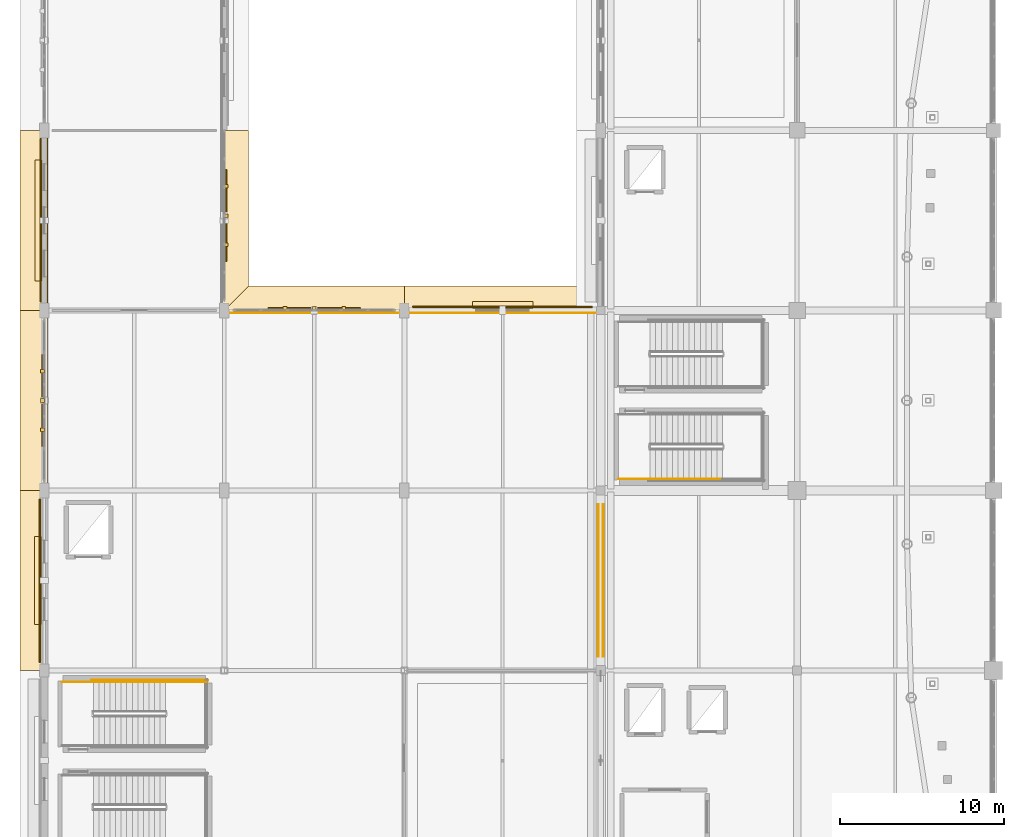
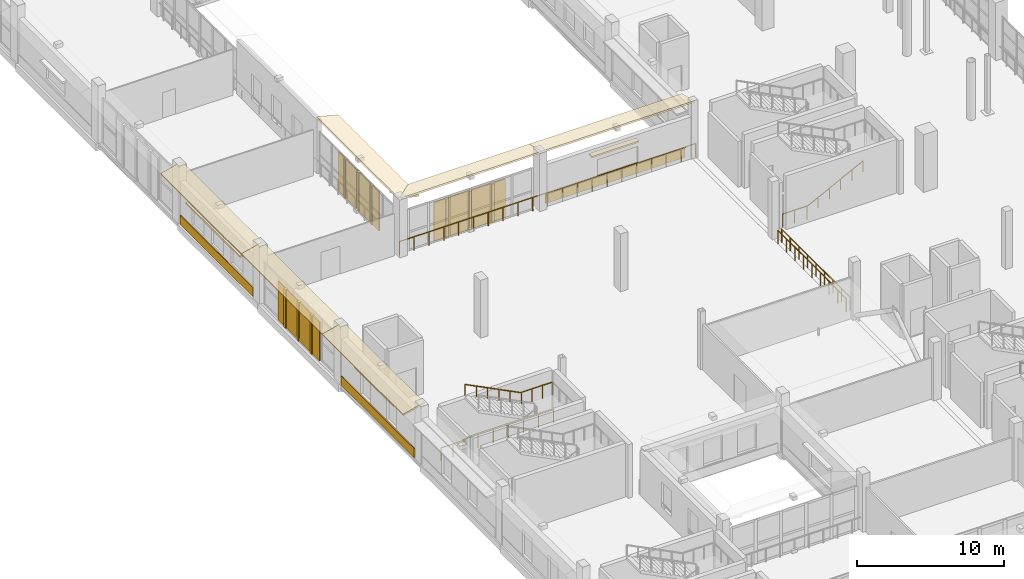
# One storey, part 121 of 143: 21 coverings, 9 railings, 3 shading devices.
"""IFC4 building model written with IfcOpenShell, lengths in metres."""

from ifc_helpers import new_model, si_unit, direction, frame, origin, origin_2d, place, context, subcontext, project, spatial, polyline, rectangle, circle, outline, extrude, material, layer, layer_set, type_object, element, save


model = new_model("IFC4")

# Units and contexts
model_context = context("Model", 3, precision=1e-05, world=origin(), true_north=direction((0.0, 1.0)))
body_context = subcontext(model_context, "Body", "Model", "MODEL_VIEW")
ifc_project = project(units=[si_unit("LENGTHUNIT", "METRE"), si_unit("AREAUNIT", "SQUARE_METRE"), si_unit("VOLUMEUNIT", "CUBIC_METRE"), si_unit("PLANEANGLEUNIT", "RADIAN"), si_unit("MASSUNIT", "GRAM", prefix="KILO")], contexts=[model_context])

# Site, building, storey
site_placement = place(None, origin())
site = spatial("IfcSite", under=ifc_project, at=site_placement, CompositionType="ELEMENT")
building_placement = place(site_placement, origin())
building = spatial("IfcBuilding", under=site, at=building_placement, Name="Luwafu Chhajja Arena", CompositionType="ELEMENT")
storey_placement = place(building_placement, frame((0.0, 0.0, 5.39990234375)))
storey = spatial("IfcBuildingStorey", under=building, at=storey_placement, Name="L01", CompositionType="ELEMENT", Elevation=5.39990234375)

# Railing
ifc_material_1 = material(Name="Stainless steel balustrade", Category="steel")
railing_type_1 = type_object("IfcRailingType", Name="Atrium Void Glazed Balustrade 1150", PredefinedType="BALUSTRADE", material=ifc_material_1)
railing_1_placement = place(storey_placement, frame((10.85009765625, 54.85009765625, 0.0)))
element("IfcRailing", 1, at=railing_1_placement, inside=storey, type_object=railing_type_1, Name="L01 Warm-Up Court Gallery Balustrade 0024", PredefinedType="BALUSTRADE", context=body_context, shape_type="SweptSolid", body=[
    extrude(circle(Radius=0.02392578125, at=origin_2d()), frame((0.0, 0.0, 1.1259765625), z_axis=(1.0, 0.0, 0.0), x_axis=(0.0, 1.0, 0.0)), (0.0, 0.0, 1.0), 23.2998046875),
    extrude(circle(Radius=0.02099609375, at=origin_2d()), origin(), (0.0, 0.0, 1.0), 1.101806640625),
    extrude(circle(Radius=0.02099609375, at=origin_2d()), frame((1.1650390625, 0.0, 0.0)), (0.0, 0.0, 1.0), 1.101806640625),
    extrude(circle(Radius=0.02099609375, at=origin_2d()), frame((2.330078125, 0.0, 0.0)), (0.0, 0.0, 1.0), 1.101806640625),
    extrude(circle(Radius=0.02099609375, at=origin_2d()), frame((3.494873046875, 0.0, 0.0)), (0.0, 0.0, 1.0), 1.101806640625),
    extrude(circle(Radius=0.02099609375, at=origin_2d()), frame((4.659912109375, 0.0, 0.0)), (0.0, 0.0, 1.0), 1.101806640625),
    extrude(circle(Radius=0.02099609375, at=origin_2d()), frame((5.824951171875, 0.0, 0.0)), (0.0, 0.0, 1.0), 1.101806640625),
    extrude(circle(Radius=0.02099609375, at=origin_2d()), frame((6.989990234375, 0.0, 0.0)), (0.0, 0.0, 1.0), 1.101806640625),
    extrude(circle(Radius=0.02099609375, at=origin_2d()), frame((8.155029296875, 0.0, 0.0)), (0.0, 0.0, 1.0), 1.101806640625),
    extrude(circle(Radius=0.02099609375, at=origin_2d()), frame((9.31982421875, 0.0, 0.0)), (0.0, 0.0, 1.0), 1.101806640625),
    extrude(circle(Radius=0.02099609375, at=origin_2d()), frame((10.48486328125, 0.0, 0.0)), (0.0, 0.0, 1.0), 1.101806640625),
    extrude(circle(Radius=0.02099609375, at=origin_2d()), frame((11.64990234375, 0.0, 0.0)), (0.0, 0.0, 1.0), 1.101806640625),
    extrude(circle(Radius=0.02099609375, at=origin_2d()), frame((12.81494140625, 0.0, 0.0)), (0.0, 0.0, 1.0), 1.101806640625),
    extrude(circle(Radius=0.02099609375, at=origin_2d()), frame((13.97998046875, 0.0, 0.0)), (0.0, 0.0, 1.0), 1.101806640625),
    extrude(circle(Radius=0.02099609375, at=origin_2d()), frame((15.144775390625, 0.0, 0.0)), (0.0, 0.0, 1.0), 1.101806640625),
    extrude(circle(Radius=0.02099609375, at=origin_2d()), frame((16.309814453125, 0.0, 0.0)), (0.0, 0.0, 1.0), 1.101806640625),
    extrude(circle(Radius=0.02099609375, at=origin_2d()), frame((17.474853515625, 0.0, 0.0)), (0.0, 0.0, 1.0), 1.101806640625),
    extrude(circle(Radius=0.02099609375, at=origin_2d()), frame((18.639892578125, 0.0, 0.0)), (0.0, 0.0, 1.0), 1.101806640625),
    extrude(circle(Radius=0.02099609375, at=origin_2d()), frame((19.804931640625, 0.0, 0.0)), (0.0, 0.0, 1.0), 1.101806640625),
    extrude(circle(Radius=0.02099609375, at=origin_2d()), frame((20.9697265625, 0.0, 0.0)), (0.0, 0.0, 1.0), 1.101806640625),
    extrude(circle(Radius=0.02099609375, at=origin_2d()), frame((22.134765625, 0.0, 0.0)), (0.0, 0.0, 1.0), 1.101806640625),
    extrude(circle(Radius=0.02099609375, at=origin_2d()), frame((23.2998046875, 0.0, 0.0)), (0.0, 0.0, 1.0), 1.101806640625),
])

# Coverings
ifc_material_2 = material(Name="Red laterite sandstone cladding", Category="masonry")
ifc_layer_1 = layer(ifc_material_2, 0.074951171875, Name="Red laterite sandstone cladding")
ifc_layer_set_1 = layer_set([ifc_layer_1], Name="Red laterite sandstone cladding")
covering_type = type_object("IfcCoveringType", Name="Dressed Red-Laterite Sandstone Cladding", PredefinedType="CLADDING", material=ifc_layer_set_1)
covering_1_placement = place(storey_placement, frame((0.199951171875, 33.0, 4.760009765625), z_axis=(-0.242502450825, 0.0, 0.970150793096), x_axis=(0.0, 1.0, 0.0)))
element("IfcCovering", 2, at=covering_1_placement, inside=storey, type_object=covering_type, Name="L01 Continuous Sloped Sandstone Chhajja Eave 0062", PredefinedType="CLADDING", context=body_context, shape_type="SweptSolid", body=[
    extrude(outline(polyline([(0.0, 0.0), (11.0, 0.0), (11.0, 1.731619097341133), (0.0, 1.731619097341133), (0.0, 0.0)])), origin(), (0.0, 0.0, -1.0), 0.1298828125),
])
covering_2_placement = place(storey_placement, frame((-0.257080078125, 38.5, 0.0), z_axis=(0.0, 0.0, 1.0), x_axis=(0.0, 1.0, 0.0)))
element("IfcCovering", 3, at=covering_2_placement, inside=storey, type_object=covering_type, Name="L01 Red-Laterite Sandstone Plinth Cladding 006", PredefinedType="CLADDING", context=body_context, shape_type="SweptSolid", body=[
    extrude(rectangle(XDim=9.9599609375, YDim=0.0849609375, at=origin_2d()), origin(), (0.0, 0.0, 1.0), 0.760009765625),
])
covering_3_placement = place(storey_placement, frame((-0.385009765625, 38.5, 2.93017578125), z_axis=(0.0, 0.0, 1.0), x_axis=(0.0, 1.0, 0.0)))
element("IfcCovering", 4, at=covering_3_placement, inside=storey, type_object=covering_type, Name="L01 Mughal Sandstone Window Chhajja Hood 0006", PredefinedType="CLADDING", context=body_context, shape_type="SweptSolid", body=[
    extrude(rectangle(XDim=5.3701171875, YDim=0.419921875, at=origin_2d()), origin(), (0.0, 0.0, 1.0), 0.139892578125),
])
covering_4_placement = place(storey_placement, frame((0.199951171875, 44.0, 4.760009765625), z_axis=(-0.242502450825, 0.0, 0.970150793096), x_axis=(0.0, 1.0, 0.0)))
element("IfcCovering", 5, at=covering_4_placement, inside=storey, type_object=covering_type, Name="L01 Continuous Sloped Sandstone Chhajja Eave 0063", PredefinedType="CLADDING", context=body_context, shape_type="SweptSolid", body=[
    extrude(outline(polyline([(0.0, 0.0), (11.0, 0.0), (11.0, 1.731619097341133), (0.0, 1.731619097341133), (0.0, 0.0)])), origin(), (0.0, 0.0, -1.0), 0.1298828125),
])
for number, where, z_axis, x_axis, name in (
    (6, (-0.110107421875, 47.7080078125, 0.0), (0.0, 0.0, 1.0), (0.0, 1.0, 0.0), "L01 Sandstone Jali Mullion Fin 001"),
    (7, (-0.110107421875, 49.5, 0.0), (0.0, 0.0, 1.0), (0.0, 1.0, 0.0), "L01 Sandstone Jali Mullion Fin 001"),
    (8, (-0.110107421875, 51.2919921875, 0.0), (0.0, 0.0, 1.0), (0.0, 1.0, 0.0), "L01 Sandstone Jali Mullion Fin 001"),
):
    element("IfcCovering", number, at=place(storey_placement, frame(where, z_axis=z_axis, x_axis=x_axis)), inside=storey, type_object=covering_type, Name=name, PredefinedType="CLADDING", context=body_context, shape_type="SweptSolid", body=[
        extrude(rectangle(XDim=0.219970703125, YDim=0.239990234375, at=origin_2d()), origin(), (0.0, 0.0, 1.0), 3.239990234375),
    ])
covering_5_placement = place(storey_placement, frame((0.199951171875, 55.0, 4.760009765625), z_axis=(-0.242502450825, 0.0, 0.970150793096), x_axis=(0.0, 1.0, 0.0)))
element("IfcCovering", 9, at=covering_5_placement, inside=storey, type_object=covering_type, Name="L01 Continuous Sloped Sandstone Chhajja Eave 0064", PredefinedType="CLADDING", context=body_context, shape_type="SweptSolid", body=[
    extrude(outline(polyline([(0.0, 0.0), (11.0, 0.0), (11.0, 1.731619097341133), (0.0, 1.731619097341133), (0.0, 0.0)])), origin(), (0.0, 0.0, -1.0), 0.1298828125),
])
covering_6_placement = place(storey_placement, frame((-0.2119140625, 60.5, 0.0), z_axis=(0.0, 0.0, 1.0), x_axis=(0.0, 1.0, 0.0)))
element("IfcCovering", 10, at=covering_6_placement, inside=storey, type_object=covering_type, Name="L01 Red-Laterite Sandstone Plinth Cladding 007", PredefinedType="CLADDING", context=body_context, shape_type="SweptSolid", body=[
    extrude(rectangle(XDim=9.9599609375, YDim=0.0849609375, at=origin_2d()), origin(), (0.0, 0.0, 1.0), 0.760009765625),
])
covering_7_placement = place(storey_placement, frame((-0.340087890625, 60.5, 2.580078125), z_axis=(0.0, 0.0, 1.0), x_axis=(0.0, 1.0, 0.0)))
element("IfcCovering", 11, at=covering_7_placement, inside=storey, type_object=covering_type, Name="L01 Mughal Sandstone Window Chhajja Hood 0007", PredefinedType="CLADDING", context=body_context, shape_type="SweptSolid", body=[
    extrude(rectangle(XDim=7.3798828125, YDim=0.419921875, at=origin_2d()), origin(), (0.0, 0.0, 1.0), 0.139892578125),
])
covering_8_placement = place(storey_placement, frame((10.800048828125, 55.0, 4.760009765625), z_axis=(0.242502450825, 0.0, 0.970150793096), x_axis=(0.0, 1.0, 0.0)))
element("IfcCovering", 12, at=covering_8_placement, inside=storey, type_object=covering_type, Name="L01 Continuous Sloped Sandstone Chhajja Eave 0065", PredefinedType="CLADDING", context=body_context, shape_type="SweptSolid", body=[
    extrude(outline(polyline([(0.0, 0.0), (11.0, 0.0), (11.0, -1.731619097341133), (0.0, -1.731619097341133), (0.0, 0.0)])), origin(), (0.0, 0.0, -1.0), 0.1298828125),
])
for number, where, z_axis, x_axis, name in (
    (13, (11.110107421875, 59.0029296875, 0.0), (0.0, 0.0, 1.0), (0.0, 1.0, 0.0), "L01 Sandstone Jali Mullion Fin 002"),
    (14, (11.110107421875, 60.794921875, 0.0), (0.0, 0.0, 1.0), (0.0, 1.0, 0.0), "L01 Sandstone Jali Mullion Fin 002"),
    (15, (11.110107421875, 62.5869140625, 0.0), (0.0, 0.0, 1.0), (0.0, 1.0, 0.0), "L01 Sandstone Jali Mullion Fin 002"),
):
    element("IfcCovering", number, at=place(storey_placement, frame(where, z_axis=z_axis, x_axis=x_axis)), inside=storey, type_object=covering_type, Name=name, PredefinedType="CLADDING", context=body_context, shape_type="SweptSolid", body=[
        extrude(rectangle(XDim=0.219970703125, YDim=0.239990234375, at=origin_2d()), origin(), (0.0, 0.0, 1.0), 3.239990234375),
    ])
covering_9_placement = place(storey_placement, frame((11.0, 54.800048828125, 4.760009765625), z_axis=(0.0, 0.242502450825, 0.970150793096), x_axis=(1.0, 0.0, 0.0)))
element("IfcCovering", 16, at=covering_9_placement, inside=storey, type_object=covering_type, Name="L01 Continuous Sloped Sandstone Chhajja Eave 0075", PredefinedType="CLADDING", context=body_context, shape_type="SweptSolid", body=[
    extrude(outline(polyline([(0.0, 0.0), (11.0, 0.0), (11.0, 1.731619097341133), (0.0, 1.731619097341133), (0.0, 0.0)])), origin(), (0.0, 0.0, -1.0), 0.1298828125),
])
for number, where, z_axis, x_axis, name in (
    (17, (14.7080078125, 55.110107421875, 0.0), (0.0, 0.0, 1.0), (1.0, 0.0, 0.0), "L01 Sandstone Jali Mullion Fin 007"),
    (18, (16.5, 55.110107421875, 0.0), (0.0, 0.0, 1.0), (1.0, 0.0, 0.0), "L01 Sandstone Jali Mullion Fin 007"),
    (19, (18.2919921875, 55.110107421875, 0.0), (0.0, 0.0, 1.0), (1.0, 0.0, 0.0), "L01 Sandstone Jali Mullion Fin 007"),
):
    element("IfcCovering", number, at=place(storey_placement, frame(where, z_axis=z_axis, x_axis=x_axis)), inside=storey, type_object=covering_type, Name=name, PredefinedType="CLADDING", context=body_context, shape_type="SweptSolid", body=[
        extrude(rectangle(XDim=0.219970703125, YDim=0.239990234375, at=origin_2d()), origin(), (0.0, 0.0, 1.0), 3.239990234375),
    ])
covering_10_placement = place(storey_placement, frame((22.0, 54.800048828125, 4.760009765625), z_axis=(0.0, 0.242502450825, 0.970150793096), x_axis=(1.0, 0.0, 0.0)))
element("IfcCovering", 20, at=covering_10_placement, inside=storey, type_object=covering_type, Name="L01 Continuous Sloped Sandstone Chhajja Eave 0080", PredefinedType="CLADDING", context=body_context, shape_type="SweptSolid", body=[
    extrude(outline(polyline([(0.0, 0.0), (12.0, 0.0), (12.0, 1.731619097341133), (0.0, 1.731619097341133), (0.0, 0.0)])), origin(), (0.0, 0.0, -1.0), 0.1298828125),
])
covering_11_placement = place(storey_placement, frame((28.0048828125, 55.2119140625, 0.0), z_axis=(0.0, 0.0, 1.0), x_axis=(1.0, 0.0, 0.0)))
element("IfcCovering", 21, at=covering_11_placement, inside=storey, type_object=covering_type, Name="L01 Red-Laterite Sandstone Plinth Cladding 014", PredefinedType="CLADDING", context=body_context, shape_type="SweptSolid", body=[
    extrude(rectangle(XDim=10.969970703125, YDim=0.0849609375, at=origin_2d()), origin(), (0.0, 0.0, 1.0), 0.760009765625),
])
covering_12_placement = place(storey_placement, frame((28.0048828125, 55.340087890625, 2.5302734375), z_axis=(0.0, 0.0, 1.0), x_axis=(1.0, 0.0, 0.0)))
element("IfcCovering", 22, at=covering_12_placement, inside=storey, type_object=covering_type, Name="L01 Mughal Sandstone Window Chhajja Hood 0014", PredefinedType="CLADDING", context=body_context, shape_type="SweptSolid", body=[
    extrude(rectangle(XDim=3.699951171875, YDim=0.419921875, at=origin_2d()), origin(), (0.0, 0.0, 1.0), 0.139892578125),
])

# Shading devices
ifc_material_3 = material(Name="Pierced buff sandstone jali", Category="masonry")
ifc_layer_2 = layer(ifc_material_3, 0.080078125, Name="Pierced buff sandstone jali")
ifc_layer_set_2 = layer_set([ifc_layer_2], Name="Pierced buff sandstone jali")
shading_device_type = type_object("IfcShadingDeviceType", Name="Pierced Buff-Sandstone Jali Screen", PredefinedType="JALOUSIE", material=ifc_layer_set_2)
for number, where, z_axis, x_axis, name in (
    (23, (-0.110107421875, 49.5, 0.0), (0.0, 0.0, 1.0), (0.0, 1.0, 0.0), "L01 Pierced Buff-Sandstone Jali Screen 001"),
    (24, (11.110107421875, 60.794921875, 0.0), (0.0, 0.0, 1.0), (0.0, 1.0, 0.0), "L01 Pierced Buff-Sandstone Jali Screen 002"),
    (25, (16.5, 55.110107421875, 0.0), (0.0, 0.0, 1.0), (1.0, 0.0, 0.0), "L01 Pierced Buff-Sandstone Jali Screen 007"),
):
    element("IfcShadingDevice", number, at=place(storey_placement, frame(where, z_axis=z_axis, x_axis=x_axis)), inside=storey, type_object=shading_device_type, Name=name, PredefinedType="JALOUSIE", context=body_context, shape_type="SweptSolid", body=[
        extrude(rectangle(XDim=5.60009765625, YDim=0.080078125, at=origin_2d()), origin(), (0.0, 0.0, 1.0), 3.239990234375),
    ])

# Railings
ifc_material_4 = material(Name="Stainless steel handrail", Category="steel")
railing_type_2 = type_object("IfcRailingType", Name="Stair Pitch Wall Handrail 920", PredefinedType="HANDRAIL", material=ifc_material_4)
railing_2_placement = place(storey_placement, frame((37.02001953125, 44.699951171875, 0.171630859375)))
element("IfcRailing", 26, at=railing_2_placement, inside=storey, type_object=railing_type_2, Name="L01 ST-09 stair handrail 1", PredefinedType="HANDRAIL", context=body_context, shape_type="SweptSolid", body=[
    extrude(circle(Radius=0.02392578125, at=origin_2d()), frame((0.0, 0.0, 0.8759765625), z_axis=(0.89292277971, 0.0, 0.450209850486), x_axis=(0.0, 1.0, 0.0)), (0.0, 0.0, 1.0), 4.949951171875),
    extrude(circle(Radius=0.02099609375, at=origin_2d()), origin(), (0.0, 0.0, 1.0), 0.851806640625),
    extrude(circle(Radius=0.02099609375, at=origin_2d()), frame((0.884033203125, 0.0, 0.44580078125)), (0.0, 0.0, 1.0), 0.851806640625),
    extrude(circle(Radius=0.02099609375, at=origin_2d()), frame((1.76806640625, 0.0, 0.891357421875)), (0.0, 0.0, 1.0), 0.851806640625),
    extrude(circle(Radius=0.02099609375, at=origin_2d()), frame((2.65185546875, 0.0, 1.337158203125)), (0.0, 0.0, 1.0), 0.851806640625),
    extrude(circle(Radius=0.02099609375, at=origin_2d()), frame((3.535888671875, 0.0, 1.78271484375)), (0.0, 0.0, 1.0), 0.851806640625),
    extrude(circle(Radius=0.02099609375, at=origin_2d()), frame((4.419921875, 0.0, 2.228515625)), (0.0, 0.0, 1.0), 0.851806640625),
])
railing_3_placement = place(storey_placement, frame((7.419921875, 32.300048828125, 2.571533203125)))
element("IfcRailing", 27, at=railing_3_placement, inside=storey, type_object=railing_type_2, Name="L01 ST-14 stair handrail 2", PredefinedType="HANDRAIL", context=body_context, shape_type="SweptSolid", body=[
    extrude(circle(Radius=0.02392578125, at=origin_2d()), frame((0.0, 0.0, 0.8759765625), z_axis=(-0.89292277971, 0.0, 0.450209850486), x_axis=(0.0, -1.0, 0.0)), (0.0, 0.0, 1.0), 4.949951171875),
    extrude(circle(Radius=0.02099609375, at=origin_2d()), origin(), (0.0, 0.0, 1.0), 0.851806640625),
    extrude(circle(Radius=0.02099609375, at=origin_2d()), frame((-0.884033203125, 0.0, 0.44580078125)), (0.0, 0.0, 1.0), 0.851806640625),
    extrude(circle(Radius=0.02099609375, at=origin_2d()), frame((-1.76806640625, 0.0, 0.891357421875)), (0.0, 0.0, 1.0), 0.851806640625),
    extrude(circle(Radius=0.02099609375, at=origin_2d()), frame((-2.65185546875, 0.0, 1.337158203125)), (0.0, 0.0, 1.0), 0.851806640625),
    extrude(circle(Radius=0.02099609375, at=origin_2d()), frame((-3.535888671875, 0.0, 1.78271484375)), (0.0, 0.0, 1.0), 0.851806640625),
    extrude(circle(Radius=0.02099609375, at=origin_2d()), frame((-4.419921875, 0.0, 2.228515625)), (0.0, 0.0, 1.0), 0.851806640625),
])
railing_type_3 = type_object("IfcRailingType", Name="Stair and Terrace Guard Balustrade 1100", PredefinedType="BALUSTRADE", material=ifc_material_1)
railing_4_placement = place(storey_placement, frame((35.10009765625, 44.699951171875, 0.0)))
element("IfcRailing", 28, at=railing_4_placement, inside=storey, type_object=railing_type_3, Name="L01 ST-09 stair guard 8", PredefinedType="BALUSTRADE", context=body_context, shape_type="SweptSolid", body=[
    extrude(circle(Radius=0.02392578125, at=origin_2d()), frame((0.0, 0.0, 1.076171875), z_axis=(1.0, 0.0, 0.0), x_axis=(0.0, 1.0, 0.0)), (0.0, 0.0, 1.0), 1.919921875),
    extrude(circle(Radius=0.02099609375, at=origin_2d()), origin(), (0.0, 0.0, 1.0), 1.052001953125),
    extrude(circle(Radius=0.02099609375, at=origin_2d()), frame((0.9599609375, 0.0, 0.0)), (0.0, 0.0, 1.0), 1.052001953125),
    extrude(circle(Radius=0.02099609375, at=origin_2d()), frame((1.919921875, 0.0, 0.0)), (0.0, 0.0, 1.0), 1.052001953125),
])
railing_5_placement = place(storey_placement, frame((7.419921875, 32.300048828125, 2.400146484375)))
element("IfcRailing", 29, at=railing_5_placement, inside=storey, type_object=railing_type_3, Name="L01 ST-14 stair guard 4", PredefinedType="BALUSTRADE", context=body_context, shape_type="SweptSolid", body=[
    extrude(circle(Radius=0.02392578125, at=origin_2d()), frame((0.0, 0.0, 1.076171875), z_axis=(1.0, 0.0, 0.0), x_axis=(0.0, 1.0, 0.0)), (0.0, 0.0, 1.0), 2.47998046875),
    extrude(circle(Radius=0.02099609375, at=origin_2d()), origin(), (0.0, 0.0, 1.0), 1.052001953125),
    extrude(circle(Radius=0.02099609375, at=origin_2d()), frame((0.82666015625, 0.0, 0.0)), (0.0, 0.0, 1.0), 1.052001953125),
    extrude(circle(Radius=0.02099609375, at=origin_2d()), frame((1.6533203125, 0.0, 0.0)), (0.0, 0.0, 1.0), 1.052001953125),
    extrude(circle(Radius=0.02099609375, at=origin_2d()), frame((2.47998046875, 0.0, 0.0)), (0.0, 0.0, 1.0), 1.052001953125),
])
railing_6_placement = place(storey_placement, frame((1.10009765625, 32.300048828125, 0.0)))
element("IfcRailing", 30, at=railing_6_placement, inside=storey, type_object=railing_type_3, Name="L01 ST-14 stair guard 9", PredefinedType="BALUSTRADE", context=body_context, shape_type="SweptSolid", body=[
    extrude(circle(Radius=0.02392578125, at=origin_2d()), frame((0.0, 0.0, 1.076171875), z_axis=(1.0, 0.0, 0.0), x_axis=(0.0, 1.0, 0.0)), (0.0, 0.0, 1.0), 1.89990234375),
    extrude(circle(Radius=0.02099609375, at=origin_2d()), origin(), (0.0, 0.0, 1.0), 1.052001953125),
    extrude(circle(Radius=0.02099609375, at=origin_2d()), frame((0.949951171875, 0.0, 0.0)), (0.0, 0.0, 1.0), 1.052001953125),
    extrude(circle(Radius=0.02099609375, at=origin_2d()), frame((1.89990234375, 0.0, 0.0)), (0.0, 0.0, 1.0), 1.052001953125),
])
railing_7_placement = place(storey_placement, frame((2.89990234375, 32.39990234375, 0.0)))
element("IfcRailing", 31, at=railing_7_placement, inside=storey, type_object=railing_type_3, Name="L01 ST-14 stair guard 11", PredefinedType="BALUSTRADE", context=body_context, shape_type="SweptSolid", body=[
    extrude(circle(Radius=0.02392578125, at=origin_2d()), frame((0.0, 0.0, 1.076171875), z_axis=(1.0, 0.0, 0.0), x_axis=(0.0, 1.0, 0.0)), (0.0, 0.0, 1.0), 7.10009765625),
    extrude(circle(Radius=0.02099609375, at=origin_2d()), origin(), (0.0, 0.0, 1.0), 1.052001953125),
    extrude(circle(Radius=0.02099609375, at=origin_2d()), frame((1.183349609375, 0.0, 0.0)), (0.0, 0.0, 1.0), 1.052001953125),
    extrude(circle(Radius=0.02099609375, at=origin_2d()), frame((2.36669921875, 0.0, 0.0)), (0.0, 0.0, 1.0), 1.052001953125),
    extrude(circle(Radius=0.02099609375, at=origin_2d()), frame((3.550048828125, 0.0, 0.0)), (0.0, 0.0, 1.0), 1.052001953125),
    extrude(circle(Radius=0.02099609375, at=origin_2d()), frame((4.7333984375, 0.0, 0.0)), (0.0, 0.0, 1.0), 1.052001953125),
    extrude(circle(Radius=0.02099609375, at=origin_2d()), frame((5.916748046875, 0.0, 0.0)), (0.0, 0.0, 1.0), 1.052001953125),
    extrude(circle(Radius=0.02099609375, at=origin_2d()), frame((7.10009765625, 0.0, 0.0)), (0.0, 0.0, 1.0), 1.052001953125),
])
railing_8_placement = place(storey_placement, frame((34.14990234375, 33.85009765625, 0.0)))
element("IfcRailing", 32, at=railing_8_placement, inside=storey, type_object=railing_type_3, Name="L01 Outer Slab Edge Guard 005", PredefinedType="BALUSTRADE", context=body_context, shape_type="SweptSolid", body=[
    extrude(circle(Radius=0.02392578125, at=origin_2d()), frame((0.0, 0.0, 1.09619140625), z_axis=(0.0, 1.0, 0.0), x_axis=(-1.0, 0.0, 0.0)), (0.0, 0.0, 1.0), 9.2998046875),
    extrude(circle(Radius=0.02099609375, at=origin_2d()), origin(), (0.0, 0.0, 1.0), 1.072021484375),
    extrude(circle(Radius=0.02099609375, at=origin_2d()), frame((0.0, 1.16259765625, 0.0)), (0.0, 0.0, 1.0), 1.072021484375),
    extrude(circle(Radius=0.02099609375, at=origin_2d()), frame((0.0, 2.324951171875, 0.0)), (0.0, 0.0, 1.0), 1.072021484375),
    extrude(circle(Radius=0.02099609375, at=origin_2d()), frame((0.0, 3.4873046875, 0.0)), (0.0, 0.0, 1.0), 1.072021484375),
    extrude(circle(Radius=0.02099609375, at=origin_2d()), frame((0.0, 4.64990234375, 0.0)), (0.0, 0.0, 1.0), 1.072021484375),
    extrude(circle(Radius=0.02099609375, at=origin_2d()), frame((0.0, 5.8125, 0.0)), (0.0, 0.0, 1.0), 1.072021484375),
    extrude(circle(Radius=0.02099609375, at=origin_2d()), frame((0.0, 6.974853515625, 0.0)), (0.0, 0.0, 1.0), 1.072021484375),
    extrude(circle(Radius=0.02099609375, at=origin_2d()), frame((0.0, 8.13720703125, 0.0)), (0.0, 0.0, 1.0), 1.072021484375),
    extrude(circle(Radius=0.02099609375, at=origin_2d()), frame((0.0, 9.2998046875, 0.0)), (0.0, 0.0, 1.0), 1.072021484375),
])
railing_9_placement = place(storey_placement, frame((33.85009765625, 43.14990234375, 0.0)))
element("IfcRailing", 33, at=railing_9_placement, inside=storey, type_object=railing_type_3, Name="L01 Outer Slab Edge Guard 008", PredefinedType="BALUSTRADE", context=body_context, shape_type="SweptSolid", body=[
    extrude(circle(Radius=0.02392578125, at=origin_2d()), frame((0.0, 0.0, 1.09619140625), z_axis=(0.0, -1.0, 0.0), x_axis=(1.0, 0.0, 0.0)), (0.0, 0.0, 1.0), 9.2998046875),
    extrude(circle(Radius=0.02099609375, at=origin_2d()), origin(), (0.0, 0.0, 1.0), 1.072021484375),
    extrude(circle(Radius=0.02099609375, at=origin_2d()), frame((0.0, -1.16259765625, 0.0)), (0.0, 0.0, 1.0), 1.072021484375),
    extrude(circle(Radius=0.02099609375, at=origin_2d()), frame((0.0, -2.324951171875, 0.0)), (0.0, 0.0, 1.0), 1.072021484375),
    extrude(circle(Radius=0.02099609375, at=origin_2d()), frame((0.0, -3.4873046875, 0.0)), (0.0, 0.0, 1.0), 1.072021484375),
    extrude(circle(Radius=0.02099609375, at=origin_2d()), frame((0.0, -4.64990234375, 0.0)), (0.0, 0.0, 1.0), 1.072021484375),
    extrude(circle(Radius=0.02099609375, at=origin_2d()), frame((0.0, -5.8125, 0.0)), (0.0, 0.0, 1.0), 1.072021484375),
    extrude(circle(Radius=0.02099609375, at=origin_2d()), frame((0.0, -6.974853515625, 0.0)), (0.0, 0.0, 1.0), 1.072021484375),
    extrude(circle(Radius=0.02099609375, at=origin_2d()), frame((0.0, -8.13720703125, 0.0)), (0.0, 0.0, 1.0), 1.072021484375),
    extrude(circle(Radius=0.02099609375, at=origin_2d()), frame((0.0, -9.2998046875, 0.0)), (0.0, 0.0, 1.0), 1.072021484375),
])

save(model, "model.ifc")
